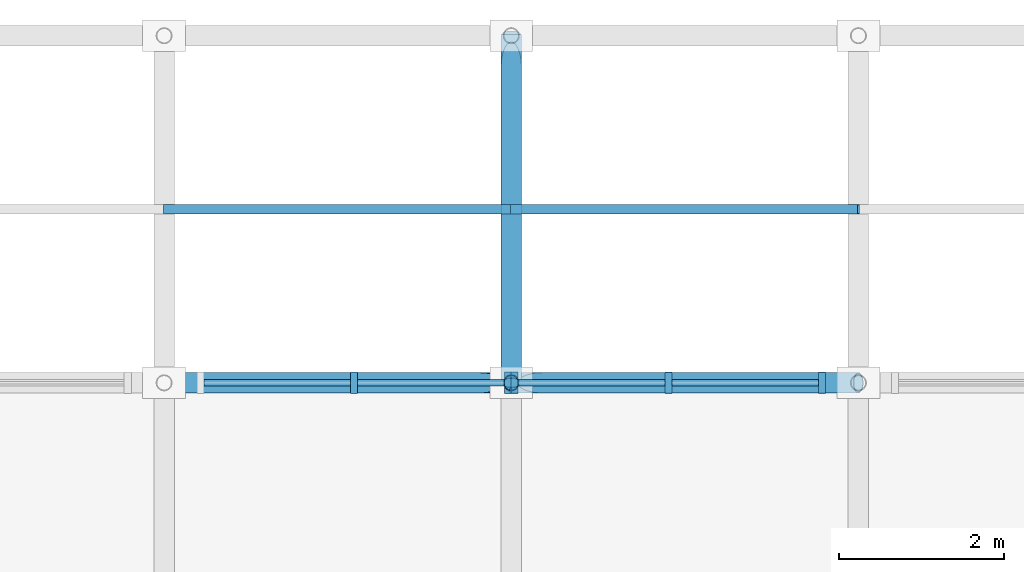
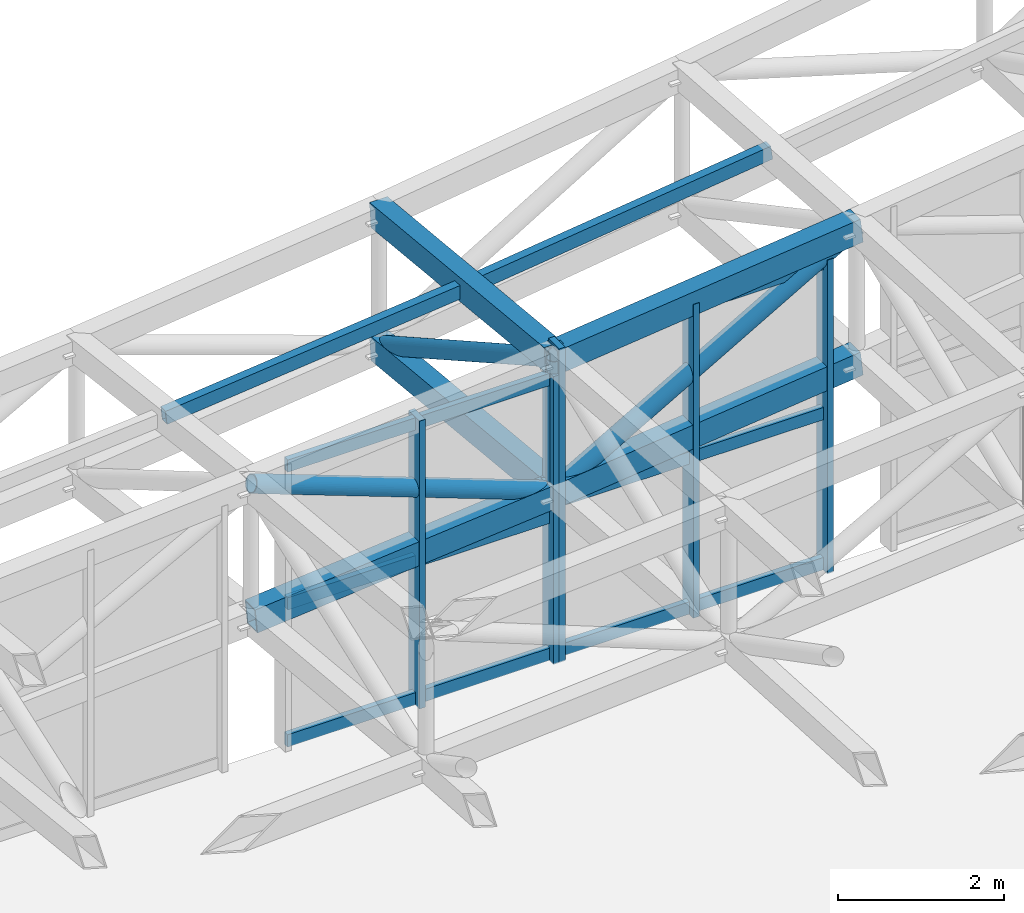
# One storey, part 55 of 111: 28 members, 2 elements without a shape of their own.
"""IFC4 building model written with IfcOpenShell, lengths in metres."""

from ifc_helpers import new_model, si_unit, direction, frame, origin, origin_2d, place, context, subcontext, project, spatial, rectangle, hollow_rectangle, hollow_circle, extrude, material, material_profile, profile_set, type_object, element, aggregate, save


model = new_model("IFC4")

# Units and contexts
model_context = context("Model", 3, precision=1e-05, world=origin(), true_north=direction((0.0, 1.0)))
body_context = subcontext(model_context, "Body", "Model", "MODEL_VIEW")
ifc_project = project(units=[si_unit("LENGTHUNIT", "METRE"), si_unit("AREAUNIT", "SQUARE_METRE"), si_unit("VOLUMEUNIT", "CUBIC_METRE"), si_unit("PLANEANGLEUNIT", "RADIAN"), si_unit("MASSUNIT", "GRAM", prefix="KILO")], contexts=[model_context])

# Site, building, storey
site_placement = place(None, origin())
site = spatial("IfcSite", under=ifc_project, at=site_placement, CompositionType="ELEMENT")
building_placement = place(site_placement, origin())
building = spatial("IfcBuilding", under=site, at=building_placement, Name="Cumbredor Promenade Congress Hotel", CompositionType="ELEMENT")
storey_placement = place(building_placement, frame((0.0, 0.0, 15.1201171875)))
storey = spatial("IfcBuildingStorey", under=building, at=storey_placement, Name="L04", CompositionType="ELEMENT", Elevation=15.1201171875)

# Curtain wall, members
ifc_material_1 = material(Name="Thermally broken anodized aluminium and low-E glass", Category="aluminium")
curtain_wall_type = type_object("IfcCurtainWallType", Name="Stepped Pavilion Clerestory Curtain Wall CW-06", PredefinedType="NOTDEFINED", material=ifc_material_1)
curtain_wall_1_placement = place(storey_placement, origin())
curtain_wall_1 = element("IfcCurtainWall", 1, at=curtain_wall_1_placement, inside=storey, type_object=curtain_wall_type, Name="Pre-Function and Breakout Meeting Forum N Glazed Clerestory 15", PredefinedType="NOTDEFINED")
ifc_material_2 = material(Name="Thermally broken anodized aluminium", Category="aluminium")
ifc_material_profile_1 = material_profile(ifc_material_2, rectangle(XDim=0.0849609375, YDim=0.260009765625, at=origin_2d()), Name="ALU MULLION CLERESTORY 85x260")
ifc_profile_set_1 = profile_set([ifc_material_profile_1], Name="Thermally broken anodized aluminium")
member_type_1 = type_object("IfcMemberType", Name="Curtain Wall Mullion ML-04", PredefinedType="MULLION", material=ifc_profile_set_1)
member_1_placement = place(storey_placement, frame((153.5, 117.60009765625, -0.01806640625), z_axis=(0.0, 0.0, 1.0), x_axis=(1.0, 0.0, 0.0)))
member_1 = element("IfcMember", 2, at=member_1_placement, type_object=member_type_1, Name="Pre-Function and Breakout Meeting Forum N Glazed Clerestory 15 Mullion 2", PredefinedType="MULLION", context=body_context, shape_type="SweptSolid", body=[
    extrude(rectangle(XDim=0.0849609375, YDim=0.260009765625, at=origin_2d()), origin(), (0.0, 0.0, 1.0), 4.221435546875),
])
member_2_placement = place(storey_placement, frame((155.360107421875, 117.60009765625, -0.01806640625), z_axis=(0.0, 0.0, 1.0), x_axis=(1.0, 0.0, 0.0)))
member_2 = element("IfcMember", 3, at=member_2_placement, type_object=member_type_1, Name="Pre-Function and Breakout Meeting Forum N Glazed Clerestory 15 Mullion 3", PredefinedType="MULLION", context=body_context, shape_type="SweptSolid", body=[
    extrude(rectangle(XDim=0.0849609375, YDim=0.260009765625, at=origin_2d()), origin(), (0.0, 0.0, 1.0), 4.221435546875),
])

curtain_wall_2_placement = place(storey_placement, origin())
curtain_wall_2 = element("IfcCurtainWall", 4, at=curtain_wall_2_placement, inside=storey, type_object=curtain_wall_type, Name="Pre-Function and Breakout Meeting Forum N Glazed Clerestory 16", PredefinedType="NOTDEFINED")
member_3_placement = place(storey_placement, frame((155.43994140625, 117.60009765625, -0.01806640625), z_axis=(0.0, 0.0, 1.0), x_axis=(1.0, 0.0, 0.0)))
member_3 = element("IfcMember", 5, at=member_3_placement, type_object=member_type_1, Name="Pre-Function and Breakout Meeting Forum N Glazed Clerestory 16 Mullion 1", PredefinedType="MULLION", context=body_context, shape_type="SweptSolid", body=[
    extrude(rectangle(XDim=0.0849609375, YDim=0.260009765625, at=origin_2d()), origin(), (0.0, 0.0, 1.0), 4.600830078125),
])
member_4_placement = place(storey_placement, frame((157.300048828125, 117.60009765625, -0.01806640625), z_axis=(0.0, 0.0, 1.0), x_axis=(1.0, 0.0, 0.0)))
member_4 = element("IfcMember", 6, at=member_4_placement, type_object=member_type_1, Name="Pre-Function and Breakout Meeting Forum N Glazed Clerestory 16 Mullion 2", PredefinedType="MULLION", context=body_context, shape_type="SweptSolid", body=[
    extrude(rectangle(XDim=0.0849609375, YDim=0.260009765625, at=origin_2d()), origin(), (0.0, 0.0, 1.0), 4.600830078125),
])
member_5_placement = place(storey_placement, frame((159.159912109375, 117.60009765625, -0.01806640625), z_axis=(0.0, 0.0, 1.0), x_axis=(1.0, 0.0, 0.0)))
member_5 = element("IfcMember", 7, at=member_5_placement, type_object=member_type_1, Name="Pre-Function and Breakout Meeting Forum N Glazed Clerestory 16 Mullion 3", PredefinedType="MULLION", context=body_context, shape_type="SweptSolid", body=[
    extrude(rectangle(XDim=0.0849609375, YDim=0.260009765625, at=origin_2d()), origin(), (0.0, 0.0, 1.0), 4.600830078125),
])

# Member
ifc_material_profile_2 = material_profile(ifc_material_2, rectangle(XDim=0.080078125, YDim=0.179931640625, at=origin_2d()), Name="ALU TRANSOM 80x180")
ifc_profile_set_2 = profile_set([ifc_material_profile_2], Name="Thermally broken anodized aluminium")
member_type_2 = type_object("IfcMemberType", Name="Curtain Wall Transom TR-03", PredefinedType="USERDEFINED", material=ifc_profile_set_2)
member_6_placement = place(storey_placement, frame((151.6826171875, 117.60009765625, 0.079833984375), z_axis=(1.0, 0.0, 0.0), x_axis=(0.0, 1.0, 0.0)))
member_6 = element("IfcMember", 8, at=member_6_placement, type_object=member_type_2, Name="Pre-Function and Breakout Meeting Forum N Glazed Clerestory 15 Transom 1.1", ObjectType="TRANSOM", PredefinedType="USERDEFINED", context=body_context, shape_type="SweptSolid", body=[
    extrude(rectangle(XDim=0.080078125, YDim=0.179931640625, at=origin_2d()), origin(), (0.0, 0.0, 1.0), 1.77490234375),
])

member_7_placement = place(storey_placement, frame((151.6826171875, 117.60009765625, 2.08984375), z_axis=(1.0, 0.0, 0.0), x_axis=(0.0, 1.0, 0.0)))
member_7 = element("IfcMember", 9, at=member_7_placement, type_object=member_type_2, Name="Pre-Function and Breakout Meeting Forum N Glazed Clerestory 15 Transom 1.2", ObjectType="TRANSOM", PredefinedType="USERDEFINED", context=body_context, shape_type="SweptSolid", body=[
    extrude(rectangle(XDim=0.080078125, YDim=0.179931640625, at=origin_2d()), origin(), (0.0, 0.0, 1.0), 1.77490234375),
])

member_8_placement = place(storey_placement, frame((151.6826171875, 117.60009765625, 4.10986328125), z_axis=(1.0, 0.0, 0.0), x_axis=(0.0, 1.0, 0.0)))
member_8 = element("IfcMember", 10, at=member_8_placement, type_object=member_type_2, Name="Pre-Function and Breakout Meeting Forum N Glazed Clerestory 15 Transom 1.3", ObjectType="TRANSOM", PredefinedType="USERDEFINED", context=body_context, shape_type="SweptSolid", body=[
    extrude(rectangle(XDim=0.080078125, YDim=0.179931640625, at=origin_2d()), origin(), (0.0, 0.0, 1.0), 1.77490234375),
])

member_9_placement = place(storey_placement, frame((153.54248046875, 117.60009765625, 0.079833984375), z_axis=(1.0, 0.0, 0.0), x_axis=(0.0, 1.0, 0.0)))
member_9 = element("IfcMember", 11, at=member_9_placement, type_object=member_type_2, Name="Pre-Function and Breakout Meeting Forum N Glazed Clerestory 15 Transom 2.1", ObjectType="TRANSOM", PredefinedType="USERDEFINED", context=body_context, shape_type="SweptSolid", body=[
    extrude(rectangle(XDim=0.080078125, YDim=0.179931640625, at=origin_2d()), origin(), (0.0, 0.0, 1.0), 1.77490234375),
])

member_10_placement = place(storey_placement, frame((153.54248046875, 117.60009765625, 2.08984375), z_axis=(1.0, 0.0, 0.0), x_axis=(0.0, 1.0, 0.0)))
member_10 = element("IfcMember", 12, at=member_10_placement, type_object=member_type_2, Name="Pre-Function and Breakout Meeting Forum N Glazed Clerestory 15 Transom 2.2", ObjectType="TRANSOM", PredefinedType="USERDEFINED", context=body_context, shape_type="SweptSolid", body=[
    extrude(rectangle(XDim=0.080078125, YDim=0.179931640625, at=origin_2d()), origin(), (0.0, 0.0, 1.0), 1.77490234375),
])

member_11_placement = place(storey_placement, frame((153.54248046875, 117.60009765625, 4.10986328125), z_axis=(1.0, 0.0, 0.0), x_axis=(0.0, 1.0, 0.0)))
member_11 = element("IfcMember", 13, at=member_11_placement, type_object=member_type_2, Name="Pre-Function and Breakout Meeting Forum N Glazed Clerestory 15 Transom 2.3", ObjectType="TRANSOM", PredefinedType="USERDEFINED", context=body_context, shape_type="SweptSolid", body=[
    extrude(rectangle(XDim=0.080078125, YDim=0.179931640625, at=origin_2d()), origin(), (0.0, 0.0, 1.0), 1.77490234375),
])

aggregate(curtain_wall_1, [member_1, member_2, member_6, member_7, member_8, member_9, member_10, member_11])

member_12_placement = place(storey_placement, frame((155.482421875, 117.60009765625, 0.079833984375), z_axis=(1.0, 0.0, 0.0), x_axis=(0.0, 1.0, 0.0)))
member_12 = element("IfcMember", 14, at=member_12_placement, type_object=member_type_2, Name="Pre-Function and Breakout Meeting Forum N Glazed Clerestory 16 Transom 1.1", ObjectType="TRANSOM", PredefinedType="USERDEFINED", context=body_context, shape_type="SweptSolid", body=[
    extrude(rectangle(XDim=0.080078125, YDim=0.179931640625, at=origin_2d()), origin(), (0.0, 0.0, 1.0), 1.775146484375),
])

member_13_placement = place(storey_placement, frame((155.482421875, 117.60009765625, 2.27978515625), z_axis=(1.0, 0.0, 0.0), x_axis=(0.0, 1.0, 0.0)))
member_13 = element("IfcMember", 15, at=member_13_placement, type_object=member_type_2, Name="Pre-Function and Breakout Meeting Forum N Glazed Clerestory 16 Transom 1.2", ObjectType="TRANSOM", PredefinedType="USERDEFINED", context=body_context, shape_type="SweptSolid", body=[
    extrude(rectangle(XDim=0.080078125, YDim=0.179931640625, at=origin_2d()), origin(), (0.0, 0.0, 1.0), 1.775146484375),
])

member_14_placement = place(storey_placement, frame((155.482421875, 117.60009765625, 4.47998046875), z_axis=(1.0, 0.0, 0.0), x_axis=(0.0, 1.0, 0.0)))
member_14 = element("IfcMember", 16, at=member_14_placement, type_object=member_type_2, Name="Pre-Function and Breakout Meeting Forum N Glazed Clerestory 16 Transom 1.3", ObjectType="TRANSOM", PredefinedType="USERDEFINED", context=body_context, shape_type="SweptSolid", body=[
    extrude(rectangle(XDim=0.080078125, YDim=0.179931640625, at=origin_2d()), origin(), (0.0, 0.0, 1.0), 1.775146484375),
])

member_15_placement = place(storey_placement, frame((157.342529296875, 117.60009765625, 0.079833984375), z_axis=(1.0, 0.0, 0.0), x_axis=(0.0, 1.0, 0.0)))
member_15 = element("IfcMember", 17, at=member_15_placement, type_object=member_type_2, Name="Pre-Function and Breakout Meeting Forum N Glazed Clerestory 16 Transom 2.1", ObjectType="TRANSOM", PredefinedType="USERDEFINED", context=body_context, shape_type="SweptSolid", body=[
    extrude(rectangle(XDim=0.080078125, YDim=0.179931640625, at=origin_2d()), origin(), (0.0, 0.0, 1.0), 1.77490234375),
])

member_16_placement = place(storey_placement, frame((157.342529296875, 117.60009765625, 2.27978515625), z_axis=(1.0, 0.0, 0.0), x_axis=(0.0, 1.0, 0.0)))
member_16 = element("IfcMember", 18, at=member_16_placement, type_object=member_type_2, Name="Pre-Function and Breakout Meeting Forum N Glazed Clerestory 16 Transom 2.2", ObjectType="TRANSOM", PredefinedType="USERDEFINED", context=body_context, shape_type="SweptSolid", body=[
    extrude(rectangle(XDim=0.080078125, YDim=0.179931640625, at=origin_2d()), origin(), (0.0, 0.0, 1.0), 1.77490234375),
])

member_17_placement = place(storey_placement, frame((157.342529296875, 117.60009765625, 4.47998046875), z_axis=(1.0, 0.0, 0.0), x_axis=(0.0, 1.0, 0.0)))
member_17 = element("IfcMember", 19, at=member_17_placement, type_object=member_type_2, Name="Pre-Function and Breakout Meeting Forum N Glazed Clerestory 16 Transom 2.3", ObjectType="TRANSOM", PredefinedType="USERDEFINED", context=body_context, shape_type="SweptSolid", body=[
    extrude(rectangle(XDim=0.080078125, YDim=0.179931640625, at=origin_2d()), origin(), (0.0, 0.0, 1.0), 1.77490234375),
])

aggregate(curtain_wall_2, [member_3, member_4, member_5, member_12, member_13, member_14, member_15, member_16, member_17])

# Members
ifc_material_3 = material(Name="Steel ASTM A500 Grade C", Category="steel")
ifc_material_profile_3 = material_profile(ifc_material_3, hollow_rectangle(XDim=0.25, YDim=0.35009765625, WallThickness=0.01611328125, at=origin_2d()), Name="HSS 350x250x16")
ifc_profile_set_3 = profile_set([ifc_material_profile_3], Name="Steel ASTM A500 Grade C")
member_type_3 = type_object("IfcMemberType", Name="Forum Roof Truss Chord", PredefinedType="CHORD", material=ifc_profile_set_3)
member_18_placement = place(storey_placement, frame((151.199951171875, 117.60009765625, 2.052490234375), z_axis=(0.995944768606, 0.0, 0.089966759892), x_axis=(0.0, 1.0, 0.0)))
element("IfcMember", 20, at=member_18_placement, inside=storey, type_object=member_type_3, Name="Pre-Function and Breakout Meeting Forum X Bottom Chord 16.10", PredefinedType="CHORD", context=body_context, shape_type="SweptSolid", body=[
    extrude(hollow_rectangle(XDim=0.25, YDim=0.35009765625, WallThickness=0.01611328125, at=origin_2d()), origin(), (0.0, 0.0, 1.0), 4.217041015625),
])
for number, where, z_axis, x_axis, name in (
    (21, (155.39990234375, 117.60009765625, 4.3818359375), (0.993963093298, 0.0, 0.109714945023), (0.0, 1.0, 0.0), "Pre-Function and Breakout Meeting Forum X Top Chord 17.10"),
    (22, (155.39990234375, 117.60009765625, 2.431884765625), (0.993969392226, 0.0, 0.109657864825), (0.0, 1.0, 0.0), "Pre-Function and Breakout Meeting Forum X Bottom Chord 17.10"),
):
    element("IfcMember", number, at=place(storey_placement, frame(where, z_axis=z_axis, x_axis=x_axis)), inside=storey, type_object=member_type_3, Name=name, PredefinedType="CHORD", context=body_context, shape_type="SweptSolid", body=[
        extrude(hollow_rectangle(XDim=0.25, YDim=0.35009765625, WallThickness=0.01611328125, at=origin_2d()), origin(), (0.0, 0.0, 1.0), 4.2255859375),
    ])
for number, where, z_axis, x_axis, name in (
    (23, (155.39990234375, 117.60009765625, 4.3818359375), (0.0, 0.995124432433, -0.098627399715), (-1.0, 0.0, 0.0), "Pre-Function and Breakout Meeting Forum Y Top Chord 17.10"),
    (24, (155.39990234375, 117.60009765625, 2.431884765625), (0.0, 0.995124432433, -0.098627399715), (-1.0, 0.0, 0.0), "Pre-Function and Breakout Meeting Forum Y Bottom Chord 17.10"),
):
    element("IfcMember", number, at=place(storey_placement, frame(where, z_axis=z_axis, x_axis=x_axis)), inside=storey, type_object=member_type_3, Name=name, PredefinedType="CHORD", context=body_context, shape_type="SweptSolid", body=[
        extrude(hollow_rectangle(XDim=0.25, YDim=0.35009765625, WallThickness=0.01611328125, at=origin_2d()), origin(), (0.0, 0.0, 1.0), 4.220458984375),
    ])
ifc_material_profile_4 = material_profile(ifc_material_3, hollow_rectangle(XDim=0.1201171875, YDim=0.199951171875, WallThickness=0.010009765625, at=origin_2d()), Name="HSS 200x120x10")
ifc_profile_set_4 = profile_set([ifc_material_profile_4], Name="Steel ASTM A500 Grade C")
member_type_4 = type_object("IfcMemberType", Name="Roof Purlin HSS200x120", PredefinedType="PURLIN", material=ifc_profile_set_4)
member_19_placement = place(storey_placement, frame((151.199951171875, 119.699951171875, 3.72607421875), z_axis=(0.994859855407, 0.0, 0.101261385039), x_axis=(0.0, 1.0, 0.0)))
element("IfcMember", 25, at=member_19_placement, inside=storey, type_object=member_type_4, Name="Pre-Function and Breakout Meeting Forum Roof Eave Purlin 16.10", PredefinedType="PURLIN", context=body_context, shape_type="SweptSolid", body=[
    extrude(hollow_rectangle(XDim=0.1201171875, YDim=0.199951171875, WallThickness=0.010009765625, at=origin_2d()), origin(), (0.0, 0.0, 1.0), 4.2216796875),
])
member_20_placement = place(storey_placement, frame((155.39990234375, 119.699951171875, 4.153564453125), z_axis=(0.992345172514, 0.0, 0.123495176375), x_axis=(0.0, 1.0, 0.0)))
element("IfcMember", 26, at=member_20_placement, inside=storey, type_object=member_type_4, Name="Pre-Function and Breakout Meeting Forum Roof Eave Purlin 17.10", PredefinedType="PURLIN", context=body_context, shape_type="SweptSolid", body=[
    extrude(hollow_rectangle(XDim=0.1201171875, YDim=0.199951171875, WallThickness=0.010009765625, at=origin_2d()), origin(), (0.0, 0.0, 1.0), 4.232666015625),
])
ifc_material_profile_5 = material_profile(ifc_material_3, hollow_circle(Radius=0.122314453125, WallThickness=0.012451171875, at=origin_2d()), Name="CHS 244.5x12.5")
ifc_profile_set_5 = profile_set([ifc_material_profile_5], Name="Steel ASTM A500 Grade C")
member_type_5 = type_object("IfcMemberType", Name="Space Frame Web Diagonal D2", PredefinedType="BRACE", material=ifc_profile_set_5)
member_21_placement = place(storey_placement, frame((151.199951171875, 117.60009765625, 4.00244140625), z_axis=(0.93665322281, 0.0, -0.350258105117), x_axis=(0.0, 1.0, 0.0)))
element("IfcMember", 27, at=member_21_placement, inside=storey, type_object=member_type_5, Name="Pre-Function and Breakout Meeting Forum X Web Diagonal 16.10", PredefinedType="BRACE", context=body_context, shape_type="SweptSolid", body=[
    extrude(hollow_circle(Radius=0.122314453125, WallThickness=0.012451171875, at=origin_2d()), origin(), (0.0, 0.0, 1.0), 4.48388671875),
])
member_22_placement = place(storey_placement, frame((155.39990234375, 117.60009765625, 2.431884765625), z_axis=(0.867043473391, 0.0, 0.498232491162), x_axis=(0.0, 1.0, 0.0)))
element("IfcMember", 28, at=member_22_placement, inside=storey, type_object=member_type_5, Name="Pre-Function and Breakout Meeting Forum X Web Diagonal 17.10", PredefinedType="BRACE", context=body_context, shape_type="SweptSolid", body=[
    extrude(hollow_circle(Radius=0.122314453125, WallThickness=0.012451171875, at=origin_2d()), origin(), (0.0, 0.0, 1.0), 4.84423828125),
])
member_23_placement = place(storey_placement, frame((155.39990234375, 117.60009765625, 4.3818359375), z_axis=(0.0, 0.871243967196, -0.490850231359), x_axis=(-1.0, 0.0, 0.0)))
element("IfcMember", 29, at=member_23_placement, inside=storey, type_object=member_type_5, Name="Pre-Function and Breakout Meeting Forum Y Web Diagonal 17.10", PredefinedType="BRACE", context=body_context, shape_type="SweptSolid", body=[
    extrude(hollow_circle(Radius=0.122314453125, WallThickness=0.012451171875, at=origin_2d()), origin(), (0.0, 0.0, 1.0), 4.820556640625),
])
ifc_material_profile_6 = material_profile(ifc_material_3, hollow_circle(Radius=0.096923828125, WallThickness=0.010009765625, at=origin_2d()), Name="CHS 193.7x10")
ifc_profile_set_6 = profile_set([ifc_material_profile_6], Name="Steel ASTM A500 Grade C")
member_type_6 = type_object("IfcMemberType", Name="Space Frame Web Post P1", PredefinedType="BRACE", material=ifc_profile_set_6)
member_24_placement = place(storey_placement, frame((155.39990234375, 117.60009765625, 2.431884765625), z_axis=(0.0, 0.0, 1.0), x_axis=(1.0, 0.0, 0.0)))
element("IfcMember", 30, at=member_24_placement, inside=storey, type_object=member_type_6, Name="Pre-Function and Breakout Meeting Forum Space Frame Web Post 17.10", PredefinedType="BRACE", context=body_context, shape_type="SweptSolid", body=[
    extrude(hollow_circle(Radius=0.096923828125, WallThickness=0.010009765625, at=origin_2d()), origin(), (0.0, 0.0, 1.0), 1.949951171875),
])

save(model, "model.ifc")
